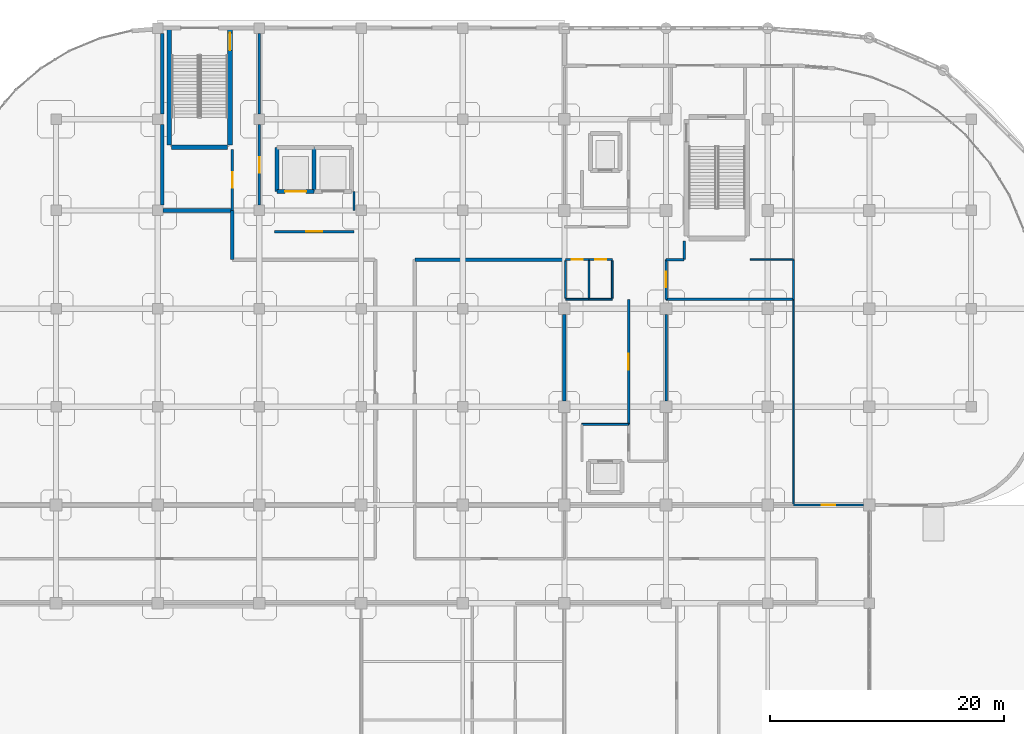
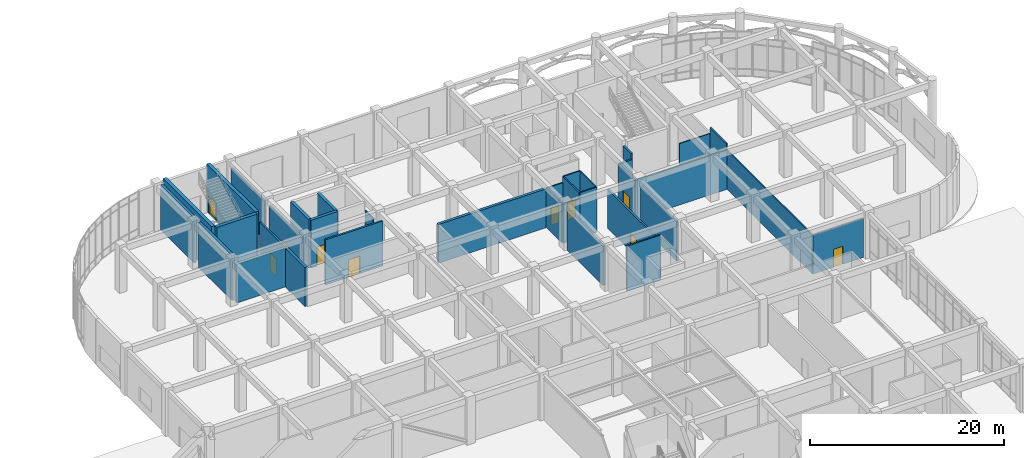
# One storey, part 67 of 82: 35 walls, 10 doors, 10 openings.
"""IFC4 building model written with IfcOpenShell, lengths in metres."""

from ifc_helpers import new_model, si_unit, derived_unit, direction, frame, frame_2d, origin, place, context, subcontext, project, spatial, rectangle, extrude, material, layer, layer_set, type_object, element, fill, save


model = new_model("IFC4")

# Units and contexts
model_context = context("Model", 3, precision=1e-05, world=origin(), true_north=direction((0.0, 1.0)))
body_context = subcontext(model_context, "Body", "Model", "MODEL_VIEW")
ifc_project = project(units=[si_unit("LENGTHUNIT", "METRE"), si_unit("AREAUNIT", "SQUARE_METRE"), si_unit("VOLUMEUNIT", "CUBIC_METRE"), si_unit("PLANEANGLEUNIT", "RADIAN"), si_unit("MASSUNIT", "GRAM", prefix="KILO"), derived_unit("THERMALTRANSMITTANCEUNIT", [(si_unit("MASSUNIT", "GRAM", prefix="KILO"), 1), (si_unit("TIMEUNIT", "SECOND"), -3), (si_unit("THERMODYNAMICTEMPERATUREUNIT", "KELVIN"), -1)])], contexts=[model_context])

# Site, building, storey
site_placement = place(None, origin())
site = spatial("IfcSite", under=ifc_project, at=site_placement, CompositionType="ELEMENT")
building_placement = place(site_placement, origin())
building = spatial("IfcBuilding", under=site, at=building_placement, Name="Qinzheling Arcade Emporium", CompositionType="ELEMENT")
storey_placement = place(building_placement, origin())
storey = spatial("IfcBuildingStorey", under=building, at=storey_placement, Name="L01", CompositionType="ELEMENT", Elevation=0.0)

# Wall, opening, door
ifc_material_1 = material(Name="Double-stud acoustic gypsum board partition")
ifc_layer_1 = layer(ifc_material_1, 0.215087890625, Name="Double-stud acoustic gypsum board partition")
ifc_layer_set_1 = layer_set([ifc_layer_1], Name="Double-stud acoustic gypsum board partition")
wall_type_1 = type_object("IfcWallType", Name="Acoustic Corridor Partition Wall 215", PredefinedType="PARTITIONING", material=ifc_layer_set_1)
wall_1_placement = place(storey_placement, frame((86.39990234375, 97.199951171875, 0.0), z_axis=(0.0, 0.0, 1.0), x_axis=(-1.0, 0.0, 0.0)))
wall_1 = element("IfcWall", 1, at=wall_1_placement, inside=storey, type_object=wall_type_1, Name="Interior Wall WL-L01-INT-0104", PredefinedType="PARTITIONING", context=body_context, shape_type="SweptSolid", body=[
    extrude(rectangle(XDim=6.7998046875, YDim=0.215087890625, at=frame_2d((3.39990234375, 0.0))), origin(), (0.0, 0.0, 1.0), 5.659912109375),
])
opening_1_placement = place(wall_1_placement, frame((2.72509765625, 0.0, 0.0)))
opening_1 = element("IfcOpeningElement", 2, at=opening_1_placement, cuts=wall_1, Name="Opening FD05", PredefinedType="OPENING", context=body_context, shape_type="SweptSolid", body=[
    extrude(rectangle(XDim=1.35009765625, YDim=2.199951171875, at=frame_2d((0.675048828125, 1.10009765625))), frame((0.0, 0.11767578125, 0.0), z_axis=(0.0, -1.0, 0.0), x_axis=(1.0, 0.0, 0.0)), (0.0, 0.0, 1.0), 0.235107421875),
])
ifc_material_2 = material(Name="Class B fire-rated stainless-clad door")
door_type_1 = type_object("IfcDoorType", Name="Kitchen Fire-Rated Service Door 1350x2200", OperationType="NOTDEFINED", PredefinedType="DOOR", material=ifc_material_2)
door_1_placement = place(opening_1_placement, origin())
door_1 = element("IfcDoor", 3, at=door_1_placement, inside=storey, type_object=door_type_1, Name="FD05 Interior Door DR-L01-INT-0032", OperationType="SINGLE_SWING_RIGHT", OverallHeight=2.199951171875, OverallWidth=1.35009765625, PredefinedType="DOOR", context=body_context, shape_type="SweptSolid", body=[
    extrude(rectangle(XDim=1.35009765625, YDim=2.199951171875, at=frame_2d((0.675048828125, 1.10009765625))), frame((0.0, 0.02490234375, 0.0), z_axis=(0.0, -1.0, 0.0), x_axis=(1.0, 0.0, 0.0)), (0.0, 0.0, 1.0), 0.050048828125),
])
fill(opening_1, door_1)

# Wall
wall_2_placement = place(storey_placement, frame((78.300048828125, 114.139892578125, 0.0), z_axis=(0.0, 0.0, 1.0), x_axis=(0.0, -1.0, 0.0)))
element("IfcWall", 4, at=wall_2_placement, inside=storey, type_object=wall_type_1, Name="Interior Wall WL-L01-INT-0197", PredefinedType="PARTITIONING", context=body_context, shape_type="SweptSolid", body=[
    extrude(rectangle(XDim=6.8798828125, YDim=0.215087890625, at=frame_2d((3.43994140625, 0.0))), origin(), (0.0, 0.0, 1.0), 4.8798828125),
])

# Wall, opening, door
wall_3_placement = place(storey_placement, frame((78.300048828125, 106.340087890625, 0.0), z_axis=(0.0, 0.0, 1.0), x_axis=(0.0, -1.0, 0.0)))
wall_3 = element("IfcWall", 5, at=wall_3_placement, inside=storey, type_object=wall_type_1, Name="Interior Wall WL-L01-INT-0198", PredefinedType="PARTITIONING", context=body_context, shape_type="SweptSolid", body=[
    extrude(rectangle(XDim=6.880126953125, YDim=0.215087890625, at=frame_2d((3.43994140625, 0.0))), origin(), (0.0, 0.0, 1.0), 4.8798828125),
])
opening_2_placement = place(wall_3_placement, frame((2.764892578125, 0.0, 0.0)))
opening_2 = element("IfcOpeningElement", 6, at=opening_2_placement, cuts=wall_3, Name="Opening FD05", PredefinedType="OPENING", context=body_context, shape_type="SweptSolid", body=[
    extrude(rectangle(XDim=1.35009765625, YDim=2.199951171875, at=frame_2d((0.675048828125, 1.10009765625))), frame((0.0, 0.11767578125, 0.0), z_axis=(0.0, -1.0, 0.0), x_axis=(1.0, 0.0, 0.0)), (0.0, 0.0, 1.0), 0.235107421875),
])
door_2_placement = place(opening_2_placement, origin())
door_2 = element("IfcDoor", 7, at=door_2_placement, inside=storey, type_object=door_type_1, Name="FD05 Interior Door DR-L01-INT-0064", OperationType="SINGLE_SWING_LEFT", OverallHeight=2.199951171875, OverallWidth=1.35009765625, PredefinedType="DOOR", context=body_context, shape_type="SweptSolid", body=[
    extrude(rectangle(XDim=1.35009765625, YDim=2.199951171875, at=frame_2d((0.675048828125, 1.10009765625))), frame((0.0, 0.02490234375, 0.0), z_axis=(0.0, -1.0, 0.0), x_axis=(1.0, 0.0, 0.0)), (0.0, 0.0, 1.0), 0.050048828125),
])
fill(opening_2, door_2)

wall_4_placement = place(storey_placement, frame((75.989990234375, 99.0, 0.0), z_axis=(0.0, 0.0, 1.0), x_axis=(0.0, 1.0, 0.0)))
wall_4 = element("IfcWall", 8, at=wall_4_placement, inside=storey, type_object=wall_type_1, Name="Interior Wall WL-L01-INT-0199", PredefinedType="PARTITIONING", context=body_context, shape_type="SweptSolid", body=[
    extrude(rectangle(XDim=5.199951171875, YDim=0.215087890625, at=frame_2d((2.60009765625, 0.0))), origin(), (0.0, 0.0, 1.0), 4.8798828125),
])
opening_3_placement = place(wall_4_placement, frame((1.925048828125, 0.0, 0.0)))
opening_3 = element("IfcOpeningElement", 9, at=opening_3_placement, cuts=wall_4, Name="Opening FD05", PredefinedType="OPENING", context=body_context, shape_type="SweptSolid", body=[
    extrude(rectangle(XDim=1.35009765625, YDim=2.199951171875, at=frame_2d((0.675048828125, 1.10009765625))), frame((0.0, 0.11767578125, 0.0), z_axis=(0.0, -1.0, 0.0), x_axis=(1.0, 0.0, 0.0)), (0.0, 0.0, 1.0), 0.235107421875),
])
door_3_placement = place(opening_3_placement, origin())
door_3 = element("IfcDoor", 10, at=door_3_placement, inside=storey, type_object=door_type_1, Name="FD05 Interior Door DR-L01-INT-0065", OperationType="SINGLE_SWING_RIGHT", OverallHeight=2.199951171875, OverallWidth=1.35009765625, PredefinedType="DOOR", context=body_context, shape_type="SweptSolid", body=[
    extrude(rectangle(XDim=1.35009765625, YDim=2.199951171875, at=frame_2d((0.675048828125, 1.10009765625))), frame((0.0, 0.02490234375, 0.0), z_axis=(0.0, -1.0, 0.0), x_axis=(1.0, 0.0, 0.0)), (0.0, 0.0, 1.0), 0.050048828125),
])
fill(opening_3, door_3)

# Wall
wall_5_placement = place(storey_placement, frame((113.10009765625, 90.090087890625, 0.0), z_axis=(0.0, 0.0, 1.0), x_axis=(0.0, -1.0, 0.0)))
element("IfcWall", 11, at=wall_5_placement, inside=storey, type_object=wall_type_1, Name="Interior Wall WL-L01-INT-0205", PredefinedType="PARTITIONING", context=body_context, shape_type="SweptSolid", body=[
    extrude(rectangle(XDim=7.380126953125, YDim=0.215087890625, at=frame_2d((3.68994140625, 0.0))), origin(), (0.0, 0.0, 1.0), 4.925048828125),
])

# Wall, opening, door
wall_6_placement = place(storey_placement, frame((109.89990234375, 80.699951171875, 0.0), z_axis=(0.0, 0.0, 1.0), x_axis=(0.0, 1.0, 0.0)))
wall_6 = element("IfcWall", 12, at=wall_6_placement, inside=storey, type_object=wall_type_1, Name="Interior Wall WL-L01-INT-0208", PredefinedType="PARTITIONING", context=body_context, shape_type="SweptSolid", body=[
    extrude(rectangle(XDim=10.699951171875, YDim=0.215087890625, at=frame_2d((5.35009765625, 0.0))), origin(), (0.0, 0.0, 1.0), 4.925048828125),
])
opening_4_placement = place(wall_6_placement, frame((4.675048828125, 0.0, 0.0)))
opening_4 = element("IfcOpeningElement", 13, at=opening_4_placement, cuts=wall_6, Name="Opening FD05", PredefinedType="OPENING", context=body_context, shape_type="SweptSolid", body=[
    extrude(rectangle(XDim=1.35009765625, YDim=2.199951171875, at=frame_2d((0.675048828125, 1.10009765625))), frame((0.0, 0.11767578125, 0.0), z_axis=(0.0, -1.0, 0.0), x_axis=(1.0, 0.0, 0.0)), (0.0, 0.0, 1.0), 0.235107421875),
])
door_4_placement = place(opening_4_placement, origin())
door_4 = element("IfcDoor", 14, at=door_4_placement, inside=storey, type_object=door_type_1, Name="FD05 Interior Door DR-L01-INT-0068", OperationType="SINGLE_SWING_LEFT", OverallHeight=2.199951171875, OverallWidth=1.35009765625, PredefinedType="DOOR", context=body_context, shape_type="SweptSolid", body=[
    extrude(rectangle(XDim=1.35009765625, YDim=2.199951171875, at=frame_2d((0.675048828125, 1.10009765625))), frame((0.0, 0.02490234375, 0.0), z_axis=(0.0, -1.0, 0.0), x_axis=(1.0, 0.0, 0.0)), (0.0, 0.0, 1.0), 0.050048828125),
])
fill(opening_4, door_4)

# Walls
wall_7_placement = place(storey_placement, frame((114.655029296875, 96.39990234375, 0.0), z_axis=(0.0, 0.0, 1.0), x_axis=(0.0, -1.0, 0.0)))
element("IfcWall", 15, at=wall_7_placement, inside=storey, type_object=wall_type_1, Name="Interior Wall WL-L01-INT-0209", PredefinedType="PARTITIONING", context=body_context, shape_type="SweptSolid", body=[
    extrude(rectangle(XDim=1.599853515625, YDim=0.215087890625, at=frame_2d((0.7998046875, 0.0))), origin(), (0.0, 0.0, 1.0), 5.659912109375),
])
wall_8_placement = place(storey_placement, frame((114.655029296875, 94.800048828125, 0.0), z_axis=(0.0, 0.0, 1.0), x_axis=(-1.0, 0.0, 0.0)))
element("IfcWall", 16, at=wall_8_placement, inside=storey, type_object=wall_type_1, Name="Interior Wall WL-L01-INT-0210", PredefinedType="PARTITIONING", context=body_context, shape_type="SweptSolid", body=[
    extrude(rectangle(XDim=1.554931640625, YDim=0.215087890625, at=frame_2d((0.77734375, 0.0))), origin(), (0.0, 0.0, 1.0), 4.925048828125),
])

# Wall, opening, door
wall_9_placement = place(storey_placement, frame((113.10009765625, 94.800048828125, 0.0), z_axis=(0.0, 0.0, 1.0), x_axis=(0.0, -1.0, 0.0)))
wall_9 = element("IfcWall", 17, at=wall_9_placement, inside=storey, type_object=wall_type_1, Name="Interior Wall WL-L01-INT-0211", PredefinedType="PARTITIONING", context=body_context, shape_type="SweptSolid", body=[
    extrude(rectangle(XDim=3.400146484375, YDim=0.215087890625, at=frame_2d((1.7001953125, 0.0))), origin(), (0.0, 0.0, 1.0), 4.925048828125),
])
opening_5_placement = place(wall_9_placement, frame((1.02490234375, 0.0, 0.0)))
opening_5 = element("IfcOpeningElement", 18, at=opening_5_placement, cuts=wall_9, Name="Opening FD05", PredefinedType="OPENING", context=body_context, shape_type="SweptSolid", body=[
    extrude(rectangle(XDim=1.35009765625, YDim=2.199951171875, at=frame_2d((0.675048828125, 1.10009765625))), frame((0.0, 0.11767578125, 0.0), z_axis=(0.0, -1.0, 0.0), x_axis=(1.0, 0.0, 0.0)), (0.0, 0.0, 1.0), 0.235107421875),
])
door_5_placement = place(opening_5_placement, origin())
door_5 = element("IfcDoor", 19, at=door_5_placement, inside=storey, type_object=door_type_1, Name="FD05 Interior Door DR-L01-INT-0071", OperationType="SINGLE_SWING_RIGHT", OverallHeight=2.199951171875, OverallWidth=1.35009765625, PredefinedType="DOOR", context=body_context, shape_type="SweptSolid", body=[
    extrude(rectangle(XDim=1.35009765625, YDim=2.199951171875, at=frame_2d((0.675048828125, 1.10009765625))), frame((0.0, 0.02490234375, 0.0), z_axis=(0.0, -1.0, 0.0), x_axis=(1.0, 0.0, 0.0)), (0.0, 0.0, 1.0), 0.050048828125),
])
fill(opening_5, door_5)

# Walls
ifc_material_3 = material(Name="Lightweight atelier partition")
ifc_layer_2 = layer(ifc_material_3, 0.14990234375, Name="Lightweight atelier partition")
ifc_layer_set_2 = layer_set([ifc_layer_2], Name="Lightweight atelier partition")
wall_type_2 = type_object("IfcWallType", Name="Atelier Partition Wall 150", PredefinedType="PARTITIONING", material=ifc_layer_set_2)
wall_10_placement = place(storey_placement, frame((124.0, 91.39990234375, 0.0), z_axis=(0.0, 0.0, 1.0), x_axis=(0.0, 1.0, 0.0)))
element("IfcWall", 20, at=wall_10_placement, inside=storey, type_object=wall_type_2, Name="Interior Wall WL-L01-INT-0266", PredefinedType="PARTITIONING", context=body_context, shape_type="SweptSolid", body=[
    extrude(rectangle(XDim=3.400146484375, YDim=0.14990234375, at=frame_2d((1.7001953125, 0.0))), origin(), (0.0, 0.0, 1.0), 5.659912109375),
])
ifc_material_4 = material(Name="Galvanised stud back-of-house partition")
ifc_layer_3 = layer(ifc_material_4, 0.1201171875, Name="Galvanised stud back-of-house partition")
ifc_layer_set_3 = layer_set([ifc_layer_3], Name="Galvanised stud back-of-house partition")
wall_type_3 = type_object("IfcWallType", Name="Back-of-House Partition Wall 120", PredefinedType="PARTITIONING", material=ifc_layer_set_3)
wall_11_placement = place(storey_placement, frame((124.0, 94.800048828125, 0.0), z_axis=(0.0, 0.0, 1.0), x_axis=(-1.0, 0.0, 0.0)))
element("IfcWall", 21, at=wall_11_placement, inside=storey, type_object=wall_type_3, Name="Interior Wall WL-L01-INT-0267", PredefinedType="PARTITIONING", context=body_context, shape_type="SweptSolid", body=[
    extrude(rectangle(XDim=3.699951171875, YDim=0.1201171875, at=frame_2d((1.85009765625, 0.0))), origin(), (0.0, 0.0, 1.0), 4.925048828125),
])
ifc_material_5 = material(Name="Glazed-transom steel-stud office partition", Category="steel")
ifc_layer_4 = layer(ifc_material_5, 0.135009765625, Name="Glazed-transom steel-stud office partition", Category="steel")
ifc_layer_set_4 = layer_set([ifc_layer_4], Name="Glazed-transom steel-stud office partition")
wall_type_4 = type_object("IfcWallType", Name="Buying Office Acoustic Partition Wall 135", PredefinedType="PARTITIONING", material=ifc_layer_set_4)
wall_12_placement = place(storey_placement, frame((124.0, 91.39990234375, 0.0), z_axis=(0.0, 0.0, 1.0), x_axis=(0.0, -1.0, 0.0)))
element("IfcWall", 22, at=wall_12_placement, inside=storey, type_object=wall_type_4, Name="Interior Wall WL-L01-INT-0263", PredefinedType="PARTITIONING", context=body_context, shape_type="SweptSolid", body=[
    extrude(rectangle(XDim=17.599853515625, YDim=0.135009765625, at=frame_2d((8.7998046875, 0.0))), origin(), (0.0, 0.0, 1.0), 4.909912109375),
])

# Wall, opening, door
ifc_material_6 = material(Name="Lightweight steel-stud gypsum partition", Category="steel")
ifc_layer_5 = layer(ifc_material_6, 0.18994140625, Name="Lightweight steel-stud gypsum partition", Category="steel")
ifc_layer_set_5 = layer_set([ifc_layer_5], Name="Lightweight steel-stud gypsum partition")
wall_type_5 = type_object("IfcWallType", Name="Department Tenant Partition Wall 190", PredefinedType="PARTITIONING", material=ifc_layer_set_5)
wall_13_placement = place(storey_placement, frame((124.0, 73.800048828125, 0.0), z_axis=(0.0, 0.0, 1.0), x_axis=(1.0, 0.0, 0.0)))
wall_13 = element("IfcWall", 23, at=wall_13_placement, inside=storey, type_object=wall_type_5, Name="Interior Wall WL-L01-INT-0254", PredefinedType="PARTITIONING", context=body_context, shape_type="SweptSolid", body=[
    extrude(rectangle(XDim=5.989990234375, YDim=0.18994140625, at=frame_2d((2.9951171875, 0.0))), origin(), (0.0, 0.0, 1.0), 4.909912109375),
])
opening_6_placement = place(wall_13_placement, frame((2.419921875, 0.0, 0.0)))
opening_6 = element("IfcOpeningElement", 24, at=opening_6_placement, cuts=wall_13, Name="Opening D05", PredefinedType="OPENING", context=body_context, shape_type="SweptSolid", body=[
    extrude(rectangle(XDim=1.14990234375, YDim=2.25, at=frame_2d((0.574951171875, 1.125))), frame((0.0, 0.10498046875, 0.0), z_axis=(0.0, -1.0, 0.0), x_axis=(1.0, 0.0, 0.0)), (0.0, 0.0, 1.0), 0.2099609375),
])
ifc_material_7 = material(Name="Solid oak acoustic veneer door")
door_type_2 = type_object("IfcDoorType", Name="Community Salon Single Door 1150x2250", OperationType="NOTDEFINED", PredefinedType="DOOR", material=ifc_material_7)
door_6_placement = place(opening_6_placement, origin())
door_6 = element("IfcDoor", 25, at=door_6_placement, inside=storey, type_object=door_type_2, Name="D05 Interior Door DR-L01-INT-0069", OperationType="SINGLE_SWING_RIGHT", OverallHeight=2.25, OverallWidth=1.14990234375, PredefinedType="DOOR", context=body_context, shape_type="SweptSolid", body=[
    extrude(rectangle(XDim=1.14990234375, YDim=2.25, at=frame_2d((0.574951171875, 1.125))), frame((0.0, 0.02490234375, 0.0), z_axis=(0.0, -1.0, 0.0), x_axis=(1.0, 0.0, 0.0)), (0.0, 0.0, 1.0), 0.050048828125),
])
fill(opening_6, door_6)

# Walls
ifc_material_8 = material(Name="Acoustic gypsum gallery partition")
ifc_layer_6 = layer(ifc_material_8, 0.205078125, Name="Acoustic gypsum gallery partition")
ifc_layer_set_6 = layer_set([ifc_layer_6], Name="Acoustic gypsum gallery partition")
wall_type_6 = type_object("IfcWallType", Name="Gallery Display Partition Wall 205", PredefinedType="PARTITIONING", material=ifc_layer_set_6)
wall_14_placement = place(storey_placement, frame((113.10009765625, 91.39990234375, 0.0), z_axis=(0.0, 0.0, 1.0), x_axis=(1.0, 0.0, 0.0)))
element("IfcWall", 26, at=wall_14_placement, inside=storey, type_object=wall_type_6, Name="Interior Wall WL-L01-INT-0264", PredefinedType="PARTITIONING", context=body_context, shape_type="SweptSolid", body=[
    extrude(rectangle(XDim=10.89990234375, YDim=0.205078125, at=frame_2d((5.449951171875, 0.0))), origin(), (0.0, 0.0, 1.0), 4.925048828125),
])
ifc_material_9 = material(Name="Moisture-resistant shaftliner gypsum board")
ifc_layer_7 = layer(ifc_material_9, 0.155029296875, Name="Moisture-resistant shaftliner gypsum board")
ifc_layer_set_7 = layer_set([ifc_layer_7], Name="Moisture-resistant shaftliner gypsum board")
wall_type_7 = type_object("IfcWallType", Name="Plumbing and Service Riser Wall 155", PredefinedType="MOVABLE", material=ifc_layer_set_7)
wall_15_placement = place(storey_placement, frame((106.5, 91.39990234375, 0.0), z_axis=(0.0, 0.0, 1.0), x_axis=(-1.0, 0.0, 0.0)))
element("IfcWall", 27, at=wall_15_placement, inside=storey, type_object=wall_type_7, Name="Interior Wall WL-L01-INT-0124", PredefinedType="MOVABLE", context=body_context, shape_type="SweptSolid", body=[
    extrude(rectangle(XDim=2.0, YDim=0.155029296875, at=frame_2d((1.0, 0.0))), origin(), (0.0, 0.0, 1.0), 4.8798828125),
])

# Wall, opening, door
ifc_material_10 = material(Name="Concrete C40", Category="concrete")
ifc_layer_8 = layer(ifc_material_10, 0.35009765625, Name="Concrete C40", Category="concrete")
ifc_layer_set_8 = layer_set([ifc_layer_8], Name="Concrete C40")
wall_type_8 = type_object("IfcWallType", Name="RC Lift Shaft Shear Wall 350 C40", PredefinedType="SHEAR", material=ifc_layer_set_8)
wall_16_placement = place(storey_placement, frame((82.97509765625, 100.625, 0.0), z_axis=(0.0, 0.0, 1.0), x_axis=(-1.0, 0.0, 0.0)))
wall_16 = element("IfcWall", 28, at=wall_16_placement, inside=storey, type_object=wall_type_8, Name="Lift Shaft Wall WL-L01-LFT-LG01-S", PredefinedType="SHEAR", context=body_context, shape_type="SweptSolid", body=[
    extrude(rectangle(XDim=3.150146484375, YDim=0.35009765625, at=frame_2d((1.5751953125, 0.0))), origin(), (0.0, 0.0, 1.0), 6.0),
])
opening_7_placement = place(wall_16_placement, frame((0.675048828125, 0.0, 0.0)))
opening_7 = element("IfcOpeningElement", 29, at=opening_7_placement, cuts=wall_16, Name="Opening LD03", PredefinedType="OPENING", context=body_context, shape_type="SweptSolid", body=[
    extrude(rectangle(XDim=1.800048828125, YDim=2.39990234375, at=frame_2d((0.89990234375, 1.199951171875))), frame((0.0, 0.18505859375, 0.0), z_axis=(0.0, -1.0, 0.0), x_axis=(1.0, 0.0, 0.0)), (0.0, 0.0, 1.0), 0.3701171875),
])
ifc_material_11 = material(Name="Heavy-duty galvanised steel sliding freight lift door", Category="steel")
door_type_3 = type_object("IfcDoorType", Name="Goods Lift Bi-Parting Landing Door 1800x2400", OperationType="DOUBLE_DOOR_SLIDING", PredefinedType="DOOR", material=ifc_material_11)
door_7_placement = place(opening_7_placement, origin())
door_7 = element("IfcDoor", 30, at=door_7_placement, inside=storey, type_object=door_type_3, Name="LD03 Lift Landing Door LG01 L01", OperationType="DOUBLE_DOOR_SLIDING", OverallHeight=2.39990234375, OverallWidth=1.800048828125, PredefinedType="DOOR", context=body_context, shape_type="SweptSolid", body=[
    extrude(rectangle(XDim=1.800048828125, YDim=2.39990234375, at=frame_2d((0.89990234375, 1.199951171875))), frame((0.0, 0.02490234375, 0.0), z_axis=(0.0, -1.0, 0.0), x_axis=(1.0, 0.0, 0.0)), (0.0, 0.0, 1.0), 0.050048828125),
])
fill(opening_7, door_7)

# Walls
for number, where, z_axis, x_axis, name in (
    (31, (79.824951171875, 100.625, 0.0), (0.0, 0.0, 1.0), (0.0, 1.0, 0.0), "Lift Shaft Wall WL-L01-LFT-LG01-W"),
    (32, (82.97509765625, 104.375, 0.0), (0.0, 0.0, 1.0), (0.0, -1.0, 0.0), "Lift Shaft Wall WL-L01-LFT-LG01-E"),
):
    element("IfcWall", number, at=place(storey_placement, frame(where, z_axis=z_axis, x_axis=x_axis)), inside=storey, type_object=wall_type_8, Name=name, PredefinedType="SHEAR", context=body_context, shape_type="SweptSolid", body=[
        extrude(rectangle(XDim=3.75, YDim=0.35009765625, at=frame_2d((1.875, 0.0))), origin(), (0.0, 0.0, 1.0), 6.0),
    ])
ifc_material_12 = material(Name="Concrete C50", Category="concrete")
ifc_layer_9 = layer(ifc_material_12, 0.39990234375, Name="Concrete C50", Category="concrete")
ifc_layer_set_9 = layer_set([ifc_layer_9], Name="Concrete C50")
wall_type_9 = type_object("IfcWallType", Name="RC Stair Core Shear Wall 400 C50", PredefinedType="SHEAR", material=ifc_layer_set_9)
wall_17_placement = place(storey_placement, frame((70.60009765625, 104.60009765625, 0.0), z_axis=(0.0, 0.0, 1.0), x_axis=(0.0, 1.0, 0.0)))
element("IfcWall", 33, at=wall_17_placement, inside=storey, type_object=wall_type_9, Name="Stair Core Wall WL-L01-ST07-WEST", PredefinedType="SHEAR", context=body_context, shape_type="SweptSolid", body=[
    extrude(rectangle(XDim=10.0, YDim=0.39990234375, at=frame_2d((5.0, 0.0))), origin(), (0.0, 0.0, 1.0), 6.0),
])

# Wall, opening, door
wall_18_placement = place(storey_placement, frame((75.7900390625, 114.60009765625, 0.0), z_axis=(0.0, 0.0, 1.0), x_axis=(0.0, -1.0, 0.0)))
wall_18 = element("IfcWall", 34, at=wall_18_placement, inside=storey, type_object=wall_type_9, Name="Stair Core Wall WL-L01-ST07-EAST", PredefinedType="SHEAR", context=body_context, shape_type="SweptSolid", body=[
    extrude(rectangle(XDim=10.0, YDim=0.39990234375, at=frame_2d((5.0, 0.0))), origin(), (0.0, 0.0, 1.0), 6.0),
])
opening_8_placement = place(wall_18_placement, frame((0.409912109375, 0.0, 0.0)))
opening_8 = element("IfcOpeningElement", 35, at=opening_8_placement, cuts=wall_18, Name="Opening FD01", PredefinedType="OPENING", context=body_context, shape_type="SweptSolid", body=[
    extrude(rectangle(XDim=1.5, YDim=2.199951171875, at=frame_2d((0.75, 1.10009765625))), frame((0.0, 0.2099609375, 0.0), z_axis=(0.0, -1.0, 0.0), x_axis=(1.0, 0.0, 0.0)), (0.0, 0.0, 1.0), 0.419921875),
])
ifc_material_13 = material(Name="Class A fire-rated steel double door", Category="steel")
door_type_4 = type_object("IfcDoorType", Name="Stairwell Smoke-Proof Fire Door 1500x2200", OperationType="DOUBLE_DOOR_SINGLE_SWING", PredefinedType="DOOR", material=ifc_material_13)
door_8_placement = place(opening_8_placement, origin())
door_8 = element("IfcDoor", 36, at=door_8_placement, inside=storey, type_object=door_type_4, Name="FD01 Stairwell Fire Door DR-L01-ST07-FD", OperationType="DOUBLE_DOOR_SINGLE_SWING", OverallHeight=2.199951171875, OverallWidth=1.5, PredefinedType="DOOR", context=body_context, shape_type="SweptSolid", body=[
    extrude(rectangle(XDim=1.5, YDim=2.199951171875, at=frame_2d((0.75, 1.10009765625))), frame((0.0, 0.02490234375, 0.0), z_axis=(0.0, -1.0, 0.0), x_axis=(1.0, 0.0, 0.0)), (0.0, 0.0, 1.0), 0.050048828125),
])
fill(opening_8, door_8)

# Walls
wall_19_placement = place(storey_placement, frame((75.590087890625, 104.39990234375, 0.0), z_axis=(0.0, 0.0, 1.0), x_axis=(-1.0, 0.0, 0.0)))
element("IfcWall", 37, at=wall_19_placement, inside=storey, type_object=wall_type_9, Name="Stair Core Wall WL-L01-ST07-SOUTH", PredefinedType="SHEAR", context=body_context, shape_type="SweptSolid", body=[
    extrude(rectangle(XDim=4.7900390625, YDim=0.39990234375, at=frame_2d((2.39501953125, 0.0))), origin(), (0.0, 0.0, 1.0), 6.0),
])
ifc_material_14 = material(Name="Autoclaved aerated concrete masonry with fire plaster", Category="masonry")
ifc_layer_10 = layer(ifc_material_14, 0.31005859375, Name="Autoclaved aerated concrete masonry with fire plaster", Category="masonry")
ifc_layer_set_10 = layer_set([ifc_layer_10], Name="Autoclaved aerated concrete masonry with fire plaster")
wall_type_10 = type_object("IfcWallType", Name="Retail Compartment Fire Wall 310 C40", PredefinedType="STANDARD", material=ifc_layer_set_10)
wall_20_placement = place(storey_placement, frame((75.989990234375, 94.800048828125, 0.0), z_axis=(0.0, 0.0, 1.0), x_axis=(0.0, 1.0, 0.0)))
element("IfcWall", 38, at=wall_20_placement, inside=storey, type_object=wall_type_10, Name="Interior Wall WL-L01-INT-0202", PredefinedType="STANDARD", context=body_context, shape_type="SweptSolid", body=[
    extrude(rectangle(XDim=4.199951171875, YDim=0.31005859375, at=frame_2d((2.10009765625, 0.0))), origin(), (0.0, 0.0, 1.0), 4.8798828125),
])
wall_21_placement = place(storey_placement, frame((104.39990234375, 94.800048828125, 0.0), z_axis=(0.0, 0.0, 1.0), x_axis=(-1.0, 0.0, 0.0)))
element("IfcWall", 39, at=wall_21_placement, inside=storey, type_object=wall_type_10, Name="Interior Wall WL-L01-INT-0203", PredefinedType="STANDARD", context=body_context, shape_type="SweptSolid", body=[
    extrude(rectangle(XDim=12.7998046875, YDim=0.31005859375, at=frame_2d((6.39990234375, 0.0))), origin(), (0.0, 0.0, 1.0), 4.8798828125),
])
wall_22_placement = place(storey_placement, frame((75.989990234375, 99.0, 0.0), z_axis=(0.0, 0.0, 1.0), x_axis=(-1.0, 0.0, 0.0)))
element("IfcWall", 40, at=wall_22_placement, inside=storey, type_object=wall_type_10, Name="Interior Wall WL-L01-INT-0258", PredefinedType="STANDARD", context=body_context, shape_type="SweptSolid", body=[
    extrude(rectangle(XDim=5.929931640625, YDim=0.31005859375, at=frame_2d((2.96484375, 0.0))), origin(), (0.0, 0.0, 1.0), 4.8798828125),
])
wall_23_placement = place(storey_placement, frame((70.0, 99.4599609375, 0.0), z_axis=(0.0, 0.0, 1.0), x_axis=(0.0, 1.0, 0.0)))
element("IfcWall", 41, at=wall_23_placement, inside=storey, type_object=wall_type_10, Name="Interior Wall WL-L01-INT-0259", PredefinedType="STANDARD", context=body_context, shape_type="SweptSolid", body=[
    extrude(rectangle(XDim=6.880126953125, YDim=0.31005859375, at=frame_2d((3.43994140625, 0.0))), origin(), (0.0, 0.0, 1.0), 5.659912109375),
])
wall_24_placement = place(storey_placement, frame((70.0, 107.260009765625, 0.0), z_axis=(0.0, 0.0, 1.0), x_axis=(0.0, 1.0, 0.0)))
element("IfcWall", 42, at=wall_24_placement, inside=storey, type_object=wall_type_10, Name="Interior Wall WL-L01-INT-0260", PredefinedType="STANDARD", context=body_context, shape_type="SweptSolid", body=[
    extrude(rectangle(XDim=6.8798828125, YDim=0.31005859375, at=frame_2d((3.43994140625, 0.0))), origin(), (0.0, 0.0, 1.0), 5.659912109375),
])
wall_25_placement = place(storey_placement, frame((104.39990234375, 90.090087890625, 0.0), z_axis=(0.0, 0.0, 1.0), x_axis=(0.0, -1.0, 0.0)))
element("IfcWall", 43, at=wall_25_placement, inside=storey, type_object=wall_type_10, Name="Interior Wall WL-L01-INT-0261", PredefinedType="STANDARD", context=body_context, shape_type="SweptSolid", body=[
    extrude(rectangle(XDim=7.380126953125, YDim=0.31005859375, at=frame_2d((3.68994140625, 0.0))), origin(), (0.0, 0.0, 1.0), 4.8798828125),
])
ifc_material_15 = material(Name="Steel-stud showroom partition", Category="steel")
ifc_layer_11 = layer(ifc_material_15, 0.159912109375, Name="Steel-stud showroom partition", Category="steel")
ifc_layer_set_11 = layer_set([ifc_layer_11], Name="Steel-stud showroom partition")
wall_type_11 = type_object("IfcWallType", Name="Showroom Partition Wall 160", PredefinedType="PARTITIONING", material=ifc_layer_set_11)
wall_26_placement = place(storey_placement, frame((105.89990234375, 80.699951171875, 0.0), z_axis=(0.0, 0.0, 1.0), x_axis=(1.0, 0.0, 0.0)))
element("IfcWall", 44, at=wall_26_placement, inside=storey, type_object=wall_type_11, Name="Interior Wall WL-L01-INT-0103", PredefinedType="PARTITIONING", context=body_context, shape_type="SweptSolid", body=[
    extrude(rectangle(XDim=4.0, YDim=0.159912109375, at=frame_2d((2.0, 0.0))), origin(), (0.0, 0.0, 1.0), 5.659912109375),
])
wall_27_placement = place(storey_placement, frame((86.39990234375, 100.6201171875, 0.0), z_axis=(0.0, 0.0, 1.0), x_axis=(0.0, -1.0, 0.0)))
element("IfcWall", 45, at=wall_27_placement, inside=storey, type_object=wall_type_11, Name="Interior Wall WL-L01-INT-0105", PredefinedType="PARTITIONING", context=body_context, shape_type="SweptSolid", body=[
    extrude(rectangle(XDim=1.6201171875, YDim=0.159912109375, at=frame_2d((0.81005859375, 0.0))), origin(), (0.0, 0.0, 1.0), 4.8798828125),
])
ifc_material_16 = material(Name="Moisture-resistant cement-board WC partition")
ifc_layer_12 = layer(ifc_material_16, 0.14501953125, Name="Moisture-resistant cement-board WC partition")
ifc_layer_set_12 = layer_set([ifc_layer_12], Name="Moisture-resistant cement-board WC partition")
wall_type_12 = type_object("IfcWallType", Name="Washroom Moisture Partition Wall 145", PredefinedType="PARTITIONING", material=ifc_layer_set_12)
wall_28_placement = place(storey_placement, frame((106.5, 94.800048828125, 0.0), z_axis=(0.0, 0.0, 1.0), x_axis=(0.0, -1.0, 0.0)))
element("IfcWall", 46, at=wall_28_placement, inside=storey, type_object=wall_type_12, Name="Interior Wall WL-L01-INT-0122", PredefinedType="PARTITIONING", context=body_context, shape_type="SweptSolid", body=[
    extrude(rectangle(XDim=3.400146484375, YDim=0.14501953125, at=frame_2d((1.7001953125, 0.0))), origin(), (0.0, 0.0, 1.0), 5.659912109375),
])

# Wall, opening, door
wall_29_placement = place(storey_placement, frame((104.5, 94.800048828125, 0.0), z_axis=(0.0, 0.0, 1.0), x_axis=(1.0, 0.0, 0.0)))
wall_29 = element("IfcWall", 47, at=wall_29_placement, inside=storey, type_object=wall_type_12, Name="Interior Wall WL-L01-INT-0123", PredefinedType="PARTITIONING", context=body_context, shape_type="SweptSolid", body=[
    extrude(rectangle(XDim=2.0, YDim=0.14501953125, at=frame_2d((1.0, 0.0))), origin(), (0.0, 0.0, 1.0), 4.8798828125),
])
opening_9_placement = place(wall_29_placement, frame((0.52490234375, 0.0, 0.0)))
opening_9 = element("IfcOpeningElement", 48, at=opening_9_placement, cuts=wall_29, Name="Opening D12", PredefinedType="OPENING", context=body_context, shape_type="SweptSolid", body=[
    extrude(rectangle(XDim=0.949951171875, YDim=2.14990234375, at=frame_2d((0.47509765625, 1.074951171875))), frame((0.0, 0.08251953125, 0.0), z_axis=(0.0, -1.0, 0.0), x_axis=(1.0, 0.0, 0.0)), (0.0, 0.0, 1.0), 0.1650390625),
])
ifc_material_17 = material(Name="Antimicrobial high-pressure laminate door")
door_type_5 = type_object("IfcDoorType", Name="Public Male Washroom Door 950x2150", OperationType="NOTDEFINED", PredefinedType="DOOR", material=ifc_material_17)
door_9_placement = place(opening_9_placement, origin())
door_9 = element("IfcDoor", 49, at=door_9_placement, inside=storey, type_object=door_type_5, Name="D12 Interior Door DR-L01-INT-0037", OperationType="SINGLE_SWING_RIGHT", OverallHeight=2.14990234375, OverallWidth=0.949951171875, PredefinedType="DOOR", context=body_context, shape_type="SweptSolid", body=[
    extrude(rectangle(XDim=0.949951171875, YDim=2.14990234375, at=frame_2d((0.47509765625, 1.074951171875))), frame((0.0, 0.02490234375, 0.0), z_axis=(0.0, -1.0, 0.0), x_axis=(1.0, 0.0, 0.0)), (0.0, 0.0, 1.0), 0.050048828125),
])
fill(opening_9, door_9)

wall_30_placement = place(storey_placement, frame((106.5, 94.800048828125, 0.0), z_axis=(0.0, 0.0, 1.0), x_axis=(1.0, 0.0, 0.0)))
wall_30 = element("IfcWall", 50, at=wall_30_placement, inside=storey, type_object=wall_type_12, Name="Interior Wall WL-L01-INT-0125", PredefinedType="PARTITIONING", context=body_context, shape_type="SweptSolid", body=[
    extrude(rectangle(XDim=2.0, YDim=0.14501953125, at=frame_2d((1.0, 0.0))), origin(), (0.0, 0.0, 1.0), 5.659912109375),
])
opening_10_placement = place(wall_30_placement, frame((0.52490234375, 0.0, 0.0)))
opening_10 = element("IfcOpeningElement", 51, at=opening_10_placement, cuts=wall_30, Name="Opening D13", PredefinedType="OPENING", context=body_context, shape_type="SweptSolid", body=[
    extrude(rectangle(XDim=0.949951171875, YDim=2.199951171875, at=frame_2d((0.47509765625, 1.10009765625))), frame((0.0, 0.08251953125, 0.0), z_axis=(0.0, -1.0, 0.0), x_axis=(1.0, 0.0, 0.0)), (0.0, 0.0, 1.0), 0.1650390625),
])
door_type_6 = type_object("IfcDoorType", Name="Public Female Washroom Door 950x2200", OperationType="NOTDEFINED", PredefinedType="DOOR", material=ifc_material_17)
door_10_placement = place(opening_10_placement, origin())
door_10 = element("IfcDoor", 52, at=door_10_placement, inside=storey, type_object=door_type_6, Name="D13 Interior Door DR-L01-INT-0038", OperationType="SINGLE_SWING_LEFT", OverallHeight=2.199951171875, OverallWidth=0.949951171875, PredefinedType="DOOR", context=body_context, shape_type="SweptSolid", body=[
    extrude(rectangle(XDim=0.949951171875, YDim=2.199951171875, at=frame_2d((0.47509765625, 1.10009765625))), frame((0.0, 0.02490234375, 0.0), z_axis=(0.0, -1.0, 0.0), x_axis=(1.0, 0.0, 0.0)), (0.0, 0.0, 1.0), 0.050048828125),
])
fill(opening_10, door_10)

# Walls
wall_31_placement = place(storey_placement, frame((108.5, 91.39990234375, 0.0), z_axis=(0.0, 0.0, 1.0), x_axis=(-1.0, 0.0, 0.0)))
element("IfcWall", 53, at=wall_31_placement, inside=storey, type_object=wall_type_12, Name="Interior Wall WL-L01-INT-0126", PredefinedType="PARTITIONING", context=body_context, shape_type="SweptSolid", body=[
    extrude(rectangle(XDim=2.0, YDim=0.14501953125, at=frame_2d((1.0, 0.0))), origin(), (0.0, 0.0, 1.0), 5.659912109375),
])
wall_32_placement = place(storey_placement, frame((104.5, 91.508056640625, 0.0), z_axis=(0.0, 0.0, 1.0), x_axis=(0.0, 1.0, 0.0)))
element("IfcWall", 54, at=wall_32_placement, inside=storey, type_object=wall_type_12, Name="Interior Wall WL-L01-INT-0272", PredefinedType="PARTITIONING", context=body_context, shape_type="SweptSolid", body=[
    extrude(rectangle(XDim=3.18896484375, YDim=0.14501953125, at=frame_2d((1.594482421875, 0.0))), origin(), (0.0, 0.0, 1.0), 4.8798828125),
])
wall_33_placement = place(storey_placement, frame((108.5, 94.697021484375, 0.0), z_axis=(0.0, 0.0, 1.0), x_axis=(0.0, -1.0, 0.0)))
element("IfcWall", 55, at=wall_33_placement, inside=storey, type_object=wall_type_12, Name="Interior Wall WL-L01-INT-0273", PredefinedType="PARTITIONING", context=body_context, shape_type="SweptSolid", body=[
    extrude(rectangle(XDim=3.194091796875, YDim=0.14501953125, at=frame_2d((1.59716796875, 0.0))), origin(), (0.0, 0.0, 1.0), 5.659912109375),
])

save(model, "model.ifc")
